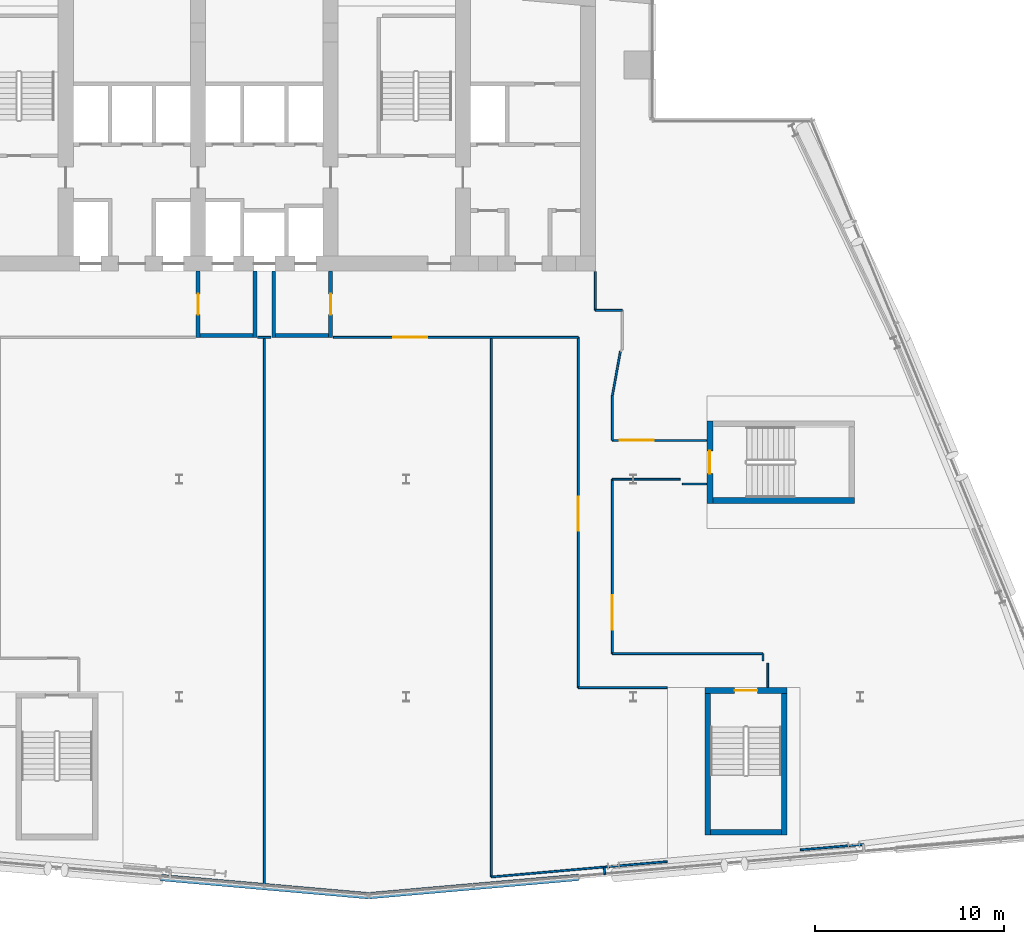
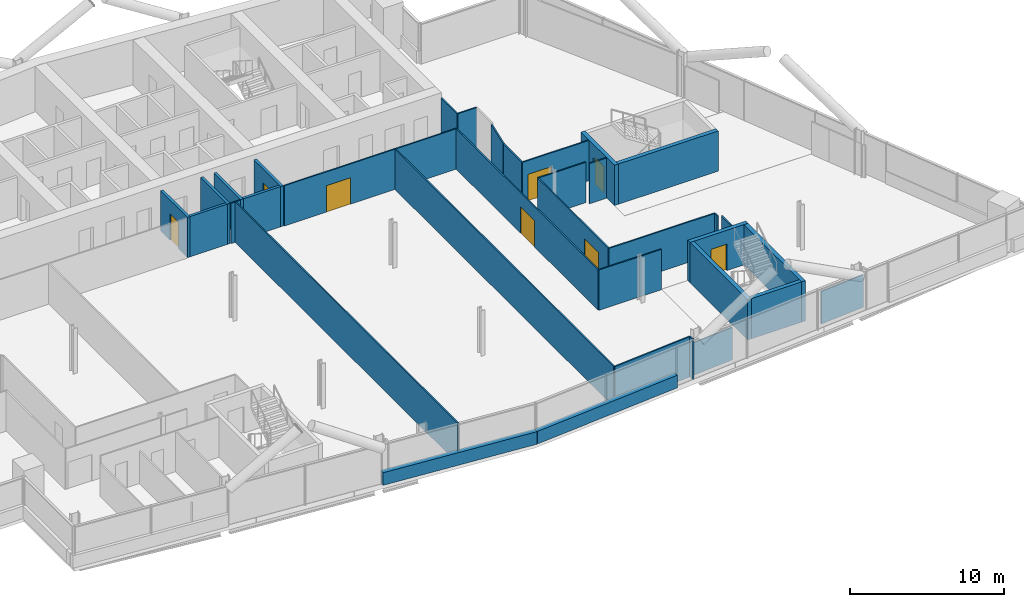
# One storey, part 16 of 26: 35 walls, 8 doors, 8 openings.
"""IFC4 building model written with IfcOpenShell, lengths in metres."""

from ifc_helpers import new_model, si_unit, direction, frame, frame_2d, origin, place, context, subcontext, project, spatial, rectangle, extrude, material, layer, layer_set, type_object, element, fill, save


model = new_model("IFC4")

# Units and contexts
model_context = context("Model", 3, precision=1e-05, world=origin(), true_north=direction((0.0, 1.0)))
body_context = subcontext(model_context, "Body", "Model", "MODEL_VIEW")
ifc_project = project(units=[si_unit("LENGTHUNIT", "METRE"), si_unit("AREAUNIT", "SQUARE_METRE"), si_unit("VOLUMEUNIT", "CUBIC_METRE"), si_unit("PLANEANGLEUNIT", "RADIAN"), si_unit("MASSUNIT", "GRAM", prefix="KILO")], contexts=[model_context])

# Site, building, storey
site_placement = place(None, origin())
site = spatial("IfcSite", under=ifc_project, at=site_placement, CompositionType="ELEMENT")
building_placement = place(site_placement, origin())
building = spatial("IfcBuilding", under=site, at=building_placement, Name="Wharfspan Tower", CompositionType="ELEMENT")
storey_placement = place(building_placement, frame((0.0, 0.0, 177.100098)))
storey = spatial("IfcBuildingStorey", under=building, at=storey_placement, Name="L43", CompositionType="ELEMENT", Elevation=177.100098)

# Walls
ifc_material_1 = material(Name="Gypsum board on steel studs", Category="steel")
ifc_layer_1 = layer(ifc_material_1, 0.100098)
ifc_layer_set_1 = layer_set([ifc_layer_1], Name="Gypsum board on steel studs")
wall_type_1 = type_object("IfcWallType", Name="Compartment wall 100 EI 60", PredefinedType="PARTITIONING", material=ifc_layer_set_1)
wall_1_placement = place(storey_placement, frame((40.5, 1.489258, 0.0), z_axis=(0.0, 0.0, 1.0), x_axis=(0.0, 1.0, 0.0)))
element("IfcWall", 1, at=wall_1_placement, inside=storey, type_object=wall_type_1, Name="Partition L43.w025", PredefinedType="PARTITIONING", context=body_context, shape_type="SweptSolid", body=[
    extrude(rectangle(XDim=29.010742, YDim=0.100098, at=frame_2d((14.505371, 0.0))), origin(), (0.0, 0.0, 1.0), 3.199951),
])
wall_2_placement = place(storey_placement, frame((52.5, 1.97998, 0.0), z_axis=(0.0, 0.0, 1.0), x_axis=(0.0, 1.0, 0.0)))
element("IfcWall", 2, at=wall_2_placement, inside=storey, type_object=wall_type_1, Name="Partition L43.w026", PredefinedType="PARTITIONING", context=body_context, shape_type="SweptSolid", body=[
    extrude(rectangle(XDim=28.52002, YDim=0.100098, at=frame_2d((14.26001, 0.0))), origin(), (0.0, 0.0, 1.0), 3.199951),
])

# Wall, opening, door
wall_3_placement = place(storey_placement, frame((57.100098, 11.985107, 0.0), z_axis=(0.0, 0.0, 1.0), x_axis=(0.0, 1.0, 0.0)))
wall_3 = element("IfcWall", 3, at=wall_3_placement, inside=storey, type_object=wall_type_1, Name="Partition L43.w029", PredefinedType="PARTITIONING", context=body_context, shape_type="SweptSolid", body=[
    extrude(rectangle(XDim=18.514893, YDim=0.100098, at=frame_2d((9.257324, 0.0))), origin(), (0.0, 0.0, 1.0), 3.199951),
])
opening_1_placement = place(wall_3_placement, frame((8.294922, 0.0, 0.0)))
opening_1 = element("IfcOpeningElement", 4, at=opening_1_placement, cuts=wall_3, Name="Opening C4-08", PredefinedType="OPENING", context=body_context, shape_type="SweptSolid", body=[
    extrude(rectangle(XDim=1.800049, YDim=2.100098, at=frame_2d((0.899902, 1.050049))), frame((0.0, 0.060059, 0.0), z_axis=(0.0, -1.0, 0.0), x_axis=(1.0, 0.0, 0.0)), (0.0, 0.0, 1.0), 0.120117),
])
ifc_material_2 = material(Name="Fire-rated timber door leaf in steel frame", Category="steel")
door_type_1 = type_object("IfcDoorType", Name="Door 1800 FD30S Double", OperationType="DOUBLE_DOOR_SINGLE_SWING", PredefinedType="DOOR", material=ifc_material_2)
door_1_placement = place(opening_1_placement, origin())
door_1 = element("IfcDoor", 5, at=door_1_placement, inside=storey, type_object=door_type_1, Name="Door C4-08", OperationType="DOUBLE_DOOR_SINGLE_SWING", OverallHeight=2.100098, OverallWidth=1.800049, PredefinedType="DOOR", context=body_context, shape_type="SweptSolid", body=[
    extrude(rectangle(XDim=1.800049, YDim=2.100098, at=frame_2d((0.899902, 1.050049))), frame((0.0, 0.024902, 0.0), z_axis=(0.0, -1.0, 0.0), x_axis=(1.0, 0.0, 0.0)), (0.0, 0.0, 1.0), 0.050049),
])
fill(opening_1, door_1)

# Walls
wall_4_placement = place(storey_placement, frame((57.100098, 11.985107, 0.0), z_axis=(0.0, 0.0, 1.0), x_axis=(1.0, 0.0, 0.0)))
element("IfcWall", 6, at=wall_4_placement, inside=storey, type_object=wall_type_1, Name="Partition L43.w030", PredefinedType="PARTITIONING", context=body_context, shape_type="SweptSolid", body=[
    extrude(rectangle(XDim=4.691406, YDim=0.100098, at=frame_2d((2.345703, 0.0))), origin(), (0.0, 0.0, 1.0), 3.199951),
])
wall_5_placement = place(storey_placement, frame((58.0, 31.925049, 0.0), z_axis=(0.0, 0.0, 1.0), x_axis=(0.0, 1.0, 0.0)))
element("IfcWall", 7, at=wall_5_placement, inside=storey, type_object=wall_type_1, Name="Partition L43.w031", PredefinedType="PARTITIONING", context=body_context, shape_type="SweptSolid", body=[
    extrude(rectangle(XDim=2.054932, YDim=0.100098, at=frame_2d((1.027344, 0.0))), origin(), (0.0, 0.0, 1.0), 3.199951),
])
wall_6_placement = place(storey_placement, frame((58.0, 31.925049, 0.0), z_axis=(0.0, 0.0, 1.0), x_axis=(1.0, 0.0, 0.0)))
element("IfcWall", 8, at=wall_6_placement, inside=storey, type_object=wall_type_1, Name="Partition L43.w032", PredefinedType="PARTITIONING", context=body_context, shape_type="SweptSolid", body=[
    extrude(rectangle(XDim=1.425049, YDim=0.100098, at=frame_2d((0.712402, 0.0))), origin(), (0.0, 0.0, 1.0), 3.199951),
])

# Wall, opening, door
wall_7_placement = place(storey_placement, frame((58.899902, 13.784912, 0.0), z_axis=(0.0, 0.0, 1.0), x_axis=(0.0, 1.0, 0.0)))
wall_7 = element("IfcWall", 9, at=wall_7_placement, inside=storey, type_object=wall_type_1, Name="Partition L43.w035", PredefinedType="PARTITIONING", context=body_context, shape_type="SweptSolid", body=[
    extrude(rectangle(XDim=9.215088, YDim=0.100098, at=frame_2d((4.607422, 0.0))), origin(), (0.0, 0.0, 1.0), 3.199951),
])
opening_2_placement = place(wall_7_placement, frame((1.27124, 0.0, 0.0)))
opening_2 = element("IfcOpeningElement", 10, at=opening_2_placement, cuts=wall_7, Name="Opening C4-07", PredefinedType="OPENING", context=body_context, shape_type="SweptSolid", body=[
    extrude(rectangle(XDim=1.800049, YDim=2.100098, at=frame_2d((0.899902, 1.050049))), frame((0.0, 0.060059, 0.0), z_axis=(0.0, -1.0, 0.0), x_axis=(1.0, 0.0, 0.0)), (0.0, 0.0, 1.0), 0.120117),
])
door_2_placement = place(opening_2_placement, origin())
door_2 = element("IfcDoor", 11, at=door_2_placement, inside=storey, type_object=door_type_1, Name="Door C4-07", OperationType="DOUBLE_DOOR_SINGLE_SWING", OverallHeight=2.100098, OverallWidth=1.800049, PredefinedType="DOOR", context=body_context, shape_type="SweptSolid", body=[
    extrude(rectangle(XDim=1.800049, YDim=2.100098, at=frame_2d((0.899902, 1.050049))), frame((0.0, 0.024902, 0.0), z_axis=(0.0, -1.0, 0.0), x_axis=(1.0, 0.0, 0.0)), (0.0, 0.0, 1.0), 0.050049),
])
fill(opening_2, door_2)

# Walls
wall_8_placement = place(storey_placement, frame((58.899902, 13.784912, 0.0), z_axis=(0.0, 0.0, 1.0), x_axis=(1.0, 0.0, 0.0)))
element("IfcWall", 12, at=wall_8_placement, inside=storey, type_object=wall_type_1, Name="Partition L43.w036", PredefinedType="PARTITIONING", context=body_context, shape_type="SweptSolid", body=[
    extrude(rectangle(XDim=7.960205, YDim=0.100098, at=frame_2d((3.97998, 0.0))), origin(), (0.0, 0.0, 1.0), 3.199951),
])
wall_9_placement = place(storey_placement, frame((58.899902, 23.0, 0.0), z_axis=(0.0, 0.0, 1.0), x_axis=(1.0, 0.0, 0.0)))
element("IfcWall", 13, at=wall_9_placement, inside=storey, type_object=wall_type_1, Name="Partition L43.w037", PredefinedType="PARTITIONING", context=body_context, shape_type="SweptSolid", body=[
    extrude(rectangle(XDim=3.585205, YDim=0.100098, at=frame_2d((1.79248, 0.0))), origin(), (0.0, 0.0, 1.0), 3.199951),
])
wall_10_placement = place(storey_placement, frame((58.899902, 25.050049, 0.0), z_axis=(0.0, 0.0, 1.0), x_axis=(0.0, 1.0, 0.0)))
element("IfcWall", 14, at=wall_10_placement, inside=storey, type_object=wall_type_1, Name="Partition L43.w038", PredefinedType="PARTITIONING", context=body_context, shape_type="SweptSolid", body=[
    extrude(rectangle(XDim=2.38501, YDim=0.100098, at=frame_2d((1.192383, 0.0))), origin(), (0.0, 0.0, 1.0), 3.199951),
])

# Wall, opening, door
wall_11_placement = place(storey_placement, frame((58.899902, 25.050049, 0.0), z_axis=(0.0, 0.0, 1.0), x_axis=(1.0, 0.0, 0.0)))
wall_11 = element("IfcWall", 15, at=wall_11_placement, inside=storey, type_object=wall_type_1, Name="Partition L43.w039", PredefinedType="PARTITIONING", context=body_context, shape_type="SweptSolid", body=[
    extrude(rectangle(XDim=4.984619, YDim=0.100098, at=frame_2d((2.492188, 0.0))), origin(), (0.0, 0.0, 1.0), 3.199951),
])
opening_3_placement = place(wall_11_placement, frame((0.38501, 0.0, 0.0)))
opening_3 = element("IfcOpeningElement", 16, at=opening_3_placement, cuts=wall_11, Name="Opening C4-09", PredefinedType="OPENING", context=body_context, shape_type="SweptSolid", body=[
    extrude(rectangle(XDim=1.800049, YDim=2.100098, at=frame_2d((0.899902, 1.050049))), frame((0.0, 0.060059, 0.0), z_axis=(0.0, -1.0, 0.0), x_axis=(1.0, 0.0, 0.0)), (0.0, 0.0, 1.0), 0.120117),
])
door_3_placement = place(opening_3_placement, origin())
door_3 = element("IfcDoor", 17, at=door_3_placement, inside=storey, type_object=door_type_1, Name="Door C4-09", OperationType="DOUBLE_DOOR_SINGLE_SWING", OverallHeight=2.100098, OverallWidth=1.800049, PredefinedType="DOOR", context=body_context, shape_type="SweptSolid", body=[
    extrude(rectangle(XDim=1.800049, YDim=2.100098, at=frame_2d((0.899902, 1.050049))), frame((0.0, 0.024902, 0.0), z_axis=(0.0, -1.0, 0.0), x_axis=(1.0, 0.0, 0.0)), (0.0, 0.0, 1.0), 0.050049),
])
fill(opening_3, door_3)

# Walls
wall_12_placement = place(storey_placement, frame((58.899902, 27.435059, 0.0), z_axis=(0.0, 0.0, 1.0), x_axis=(0.178584, 0.983924, 0.0)))
element("IfcWall", 18, at=wall_12_placement, inside=storey, type_object=wall_type_1, Name="Partition L43.w040", PredefinedType="PARTITIONING", context=body_context, shape_type="SweptSolid", body=[
    extrude(rectangle(XDim=2.352783, YDim=0.100098, at=frame_2d((1.17627, 0.0))), origin(), (0.0, 0.0, 1.0), 3.199951),
])
wall_13_placement = place(storey_placement, frame((62.60498, 22.75, 0.0), z_axis=(0.0, 0.0, 1.0), x_axis=(1.0, 0.0, 0.0)))
element("IfcWall", 19, at=wall_13_placement, inside=storey, type_object=wall_type_1, Name="Partition L43.w043", PredefinedType="PARTITIONING", context=body_context, shape_type="SweptSolid", body=[
    extrude(rectangle(XDim=1.279541, YDim=0.100098, at=frame_2d((0.639648, 0.0))), origin(), (0.0, 0.0, 1.0), 3.199951),
])
wall_14_placement = place(storey_placement, frame((66.860107, 13.405029, 0.0), z_axis=(0.0, 0.0, 1.0), x_axis=(0.0, 1.0, 0.0)))
element("IfcWall", 20, at=wall_14_placement, inside=storey, type_object=wall_type_1, Name="Partition L43.w044", PredefinedType="PARTITIONING", context=body_context, shape_type="SweptSolid", body=[
    extrude(rectangle(XDim=0.379883, YDim=0.100098, at=frame_2d((0.189941, 0.0))), origin(), (0.0, 0.0, 1.0), 3.199951),
])
wall_15_placement = place(storey_placement, frame((67.110107, 12.003662, 0.0), z_axis=(0.0, 0.0, 1.0), x_axis=(0.0, 1.0, 0.0)))
element("IfcWall", 21, at=wall_15_placement, inside=storey, type_object=wall_type_1, Name="Partition L43.w045", PredefinedType="PARTITIONING", context=body_context, shape_type="SweptSolid", body=[
    extrude(rectangle(XDim=1.28125, YDim=0.100098, at=frame_2d((0.640625, 0.0))), origin(), (0.0, 0.0, 1.0), 3.199951),
])
wall_16_placement = place(storey_placement, frame((40.149902, 30.5, 0.0), z_axis=(0.0, 0.0, 1.0), x_axis=(1.0, 0.0, 0.0)))
element("IfcWall", 22, at=wall_16_placement, inside=storey, type_object=wall_type_1, Name="Partition L43.w009 (2)", PredefinedType="PARTITIONING", context=body_context, shape_type="SweptSolid", body=[
    extrude(rectangle(XDim=0.700195, YDim=0.100098, at=frame_2d((0.350098, 0.0))), origin(), (0.0, 0.0, 1.0), 3.199951),
])

# Wall, opening, door
wall_17_placement = place(storey_placement, frame((44.149902, 30.5, 0.0), z_axis=(0.0, 0.0, 1.0), x_axis=(1.0, 0.0, 0.0)))
wall_17 = element("IfcWall", 23, at=wall_17_placement, inside=storey, type_object=wall_type_1, Name="Partition L43.w009 (3)", PredefinedType="PARTITIONING", context=body_context, shape_type="SweptSolid", body=[
    extrude(rectangle(XDim=12.950195, YDim=0.100098, at=frame_2d((6.475098, 0.0))), origin(), (0.0, 0.0, 1.0), 3.199951),
])
opening_4_placement = place(wall_17_placement, frame((3.169922, 0.0, 0.0)))
opening_4 = element("IfcOpeningElement", 24, at=opening_4_placement, cuts=wall_17, Name="Opening C4-11", PredefinedType="OPENING", context=body_context, shape_type="SweptSolid", body=[
    extrude(rectangle(XDim=1.800049, YDim=2.100098, at=frame_2d((0.899902, 1.050049))), frame((0.0, 0.060059, 0.0), z_axis=(0.0, -1.0, 0.0), x_axis=(1.0, 0.0, 0.0)), (0.0, 0.0, 1.0), 0.120117),
])
door_4_placement = place(opening_4_placement, origin())
door_4 = element("IfcDoor", 25, at=door_4_placement, inside=storey, type_object=door_type_1, Name="Door C4-11", OperationType="DOUBLE_DOOR_SINGLE_SWING", OverallHeight=2.100098, OverallWidth=1.800049, PredefinedType="DOOR", context=body_context, shape_type="SweptSolid", body=[
    extrude(rectangle(XDim=1.800049, YDim=2.100098, at=frame_2d((0.899902, 1.050049))), frame((0.0, 0.024902, 0.0), z_axis=(0.0, -1.0, 0.0), x_axis=(1.0, 0.0, 0.0)), (0.0, 0.0, 1.0), 0.050049),
])
fill(opening_4, door_4)

ifc_material_3 = material(Name="Concrete C30/37", Category="concrete")
ifc_layer_2 = layer(ifc_material_3, 0.199951)
ifc_layer_set_2 = layer_set([ifc_layer_2], Name="Concrete C30/37")
wall_type_2 = type_object("IfcWallType", Name="Lobby wall 200", PredefinedType="PARTITIONING", material=ifc_layer_set_2)
wall_18_placement = place(storey_placement, frame((37.0, 30.5, 0.0), z_axis=(0.0, 0.0, 1.0), x_axis=(0.0, 1.0, 0.0)))
wall_18 = element("IfcWall", 26, at=wall_18_placement, inside=storey, type_object=wall_type_2, Name="sw:L43:FLFF1W", PredefinedType="PARTITIONING", context=body_context, shape_type="SweptSolid", body=[
    extrude(rectangle(XDim=3.5, YDim=0.199951, at=frame_2d((1.75, 0.0))), origin(), (0.0, 0.0, 1.0), 3.199951),
])
opening_5_placement = place(wall_18_placement, frame((1.199951, 0.0, 0.0)))
opening_5 = element("IfcOpeningElement", 27, at=opening_5_placement, cuts=wall_18, Name="Opening FL.FF1.L43", PredefinedType="OPENING", context=body_context, shape_type="SweptSolid", body=[
    extrude(rectangle(XDim=1.100098, YDim=2.100098, at=frame_2d((0.550049, 1.050049))), frame((0.0, 0.109863, 0.0), z_axis=(0.0, -1.0, 0.0), x_axis=(1.0, 0.0, 0.0)), (0.0, 0.0, 1.0), 0.219971),
])
ifc_material_4 = material(Name="Steel door leaf", Category="steel")
door_type_2 = type_object("IfcDoorType", Name="Firefighting lobby door 1100x2100", OperationType="SINGLE_SWING_LEFT", PredefinedType="DOOR", material=ifc_material_4)
door_5_placement = place(opening_5_placement, origin())
door_5 = element("IfcDoor", 28, at=door_5_placement, inside=storey, type_object=door_type_2, Name="fd:L43:FF1", OperationType="SINGLE_SWING_LEFT", OverallHeight=2.100098, OverallWidth=1.100098, PredefinedType="DOOR", context=body_context, shape_type="SweptSolid", body=[
    extrude(rectangle(XDim=1.100098, YDim=2.100098, at=frame_2d((0.550049, 1.050049))), frame((0.0, 0.024902, 0.0), z_axis=(0.0, -1.0, 0.0), x_axis=(1.0, 0.0, 0.0)), (0.0, 0.0, 1.0), 0.050049),
])
fill(opening_5, door_5)

# Walls
wall_19_placement = place(storey_placement, frame((40.0, 30.5, 0.0), z_axis=(0.0, 0.0, 1.0), x_axis=(0.0, 1.0, 0.0)))
element("IfcWall", 29, at=wall_19_placement, inside=storey, type_object=wall_type_2, Name="sw:L43:FLFF1E", PredefinedType="PARTITIONING", context=body_context, shape_type="SweptSolid", body=[
    extrude(rectangle(XDim=3.5, YDim=0.199951, at=frame_2d((1.75, 0.0))), origin(), (0.0, 0.0, 1.0), 3.199951),
])
wall_20_placement = place(storey_placement, frame((37.100098, 30.600098, 0.0), z_axis=(0.0, 0.0, 1.0), x_axis=(1.0, 0.0, 0.0)))
element("IfcWall", 30, at=wall_20_placement, inside=storey, type_object=wall_type_2, Name="sw:L43:FLFF1F", PredefinedType="PARTITIONING", context=body_context, shape_type="SweptSolid", body=[
    extrude(rectangle(XDim=2.799805, YDim=0.199951, at=frame_2d((1.399902, 0.0))), origin(), (0.0, 0.0, 1.0), 3.199951),
])
wall_21_placement = place(storey_placement, frame((41.0, 30.5, 0.0), z_axis=(0.0, 0.0, 1.0), x_axis=(0.0, 1.0, 0.0)))
element("IfcWall", 31, at=wall_21_placement, inside=storey, type_object=wall_type_2, Name="sw:L43:FLFF2W", PredefinedType="PARTITIONING", context=body_context, shape_type="SweptSolid", body=[
    extrude(rectangle(XDim=3.5, YDim=0.199951, at=frame_2d((1.75, 0.0))), origin(), (0.0, 0.0, 1.0), 3.199951),
])

# Wall, opening, door
wall_22_placement = place(storey_placement, frame((44.0, 30.5, 0.0), z_axis=(0.0, 0.0, 1.0), x_axis=(0.0, 1.0, 0.0)))
wall_22 = element("IfcWall", 32, at=wall_22_placement, inside=storey, type_object=wall_type_2, Name="sw:L43:FLFF2E", PredefinedType="PARTITIONING", context=body_context, shape_type="SweptSolid", body=[
    extrude(rectangle(XDim=3.5, YDim=0.199951, at=frame_2d((1.75, 0.0))), origin(), (0.0, 0.0, 1.0), 3.199951),
])
opening_6_placement = place(wall_22_placement, frame((1.199951, 0.0, 0.0)))
opening_6 = element("IfcOpeningElement", 33, at=opening_6_placement, cuts=wall_22, Name="Opening FL.FF2.L43", PredefinedType="OPENING", context=body_context, shape_type="SweptSolid", body=[
    extrude(rectangle(XDim=1.100098, YDim=2.100098, at=frame_2d((0.550049, 1.050049))), frame((0.0, 0.109863, 0.0), z_axis=(0.0, -1.0, 0.0), x_axis=(1.0, 0.0, 0.0)), (0.0, 0.0, 1.0), 0.219971),
])
door_6_placement = place(opening_6_placement, origin())
door_6 = element("IfcDoor", 34, at=door_6_placement, inside=storey, type_object=door_type_2, Name="fd:L43:FF2", OperationType="SINGLE_SWING_LEFT", OverallHeight=2.100098, OverallWidth=1.100098, PredefinedType="DOOR", context=body_context, shape_type="SweptSolid", body=[
    extrude(rectangle(XDim=1.100098, YDim=2.100098, at=frame_2d((0.550049, 1.050049))), frame((0.0, 0.024902, 0.0), z_axis=(0.0, -1.0, 0.0), x_axis=(1.0, 0.0, 0.0)), (0.0, 0.0, 1.0), 0.050049),
])
fill(opening_6, door_6)

# Walls
wall_23_placement = place(storey_placement, frame((41.100098, 30.600098, 0.0), z_axis=(0.0, 0.0, 1.0), x_axis=(1.0, 0.0, 0.0)))
element("IfcWall", 35, at=wall_23_placement, inside=storey, type_object=wall_type_2, Name="sw:L43:FLFF2F", PredefinedType="PARTITIONING", context=body_context, shape_type="SweptSolid", body=[
    extrude(rectangle(XDim=2.799805, YDim=0.199951, at=frame_2d((1.399902, 0.0))), origin(), (0.0, 0.0, 1.0), 3.199951),
])
ifc_layer_3 = layer(ifc_material_1, 0.100098)
ifc_layer_set_3 = layer_set([ifc_layer_3], Name="Gypsum board on steel studs")
wall_type_3 = type_object("IfcWallType", Name="Partition 100", PredefinedType="PARTITIONING", material=ifc_layer_set_3)
wall_24_placement = place(storey_placement, frame((52.5, 1.975098, 0.0), z_axis=(0.0, 0.0, 1.0), x_axis=(0.99615, 0.087657, 0.0)))
element("IfcWall", 36, at=wall_24_placement, inside=storey, type_object=wall_type_3, Name="Partition L43.w028", PredefinedType="PARTITIONING", context=body_context, shape_type="SweptSolid", body=[
    extrude(rectangle(XDim=5.988037, YDim=0.100098, at=frame_2d((2.994141, 0.0))), origin(), (0.0, 0.0, 1.0), 3.199951),
])
wall_25_placement = place(storey_placement, frame((58.465088, 2.5, 0.0), z_axis=(0.0, 0.0, 1.0), x_axis=(0.996263, 0.086355, 0.0)))
element("IfcWall", 37, at=wall_25_placement, inside=storey, type_object=wall_type_3, Name="Partition L43.w033", PredefinedType="PARTITIONING", context=body_context, shape_type="SweptSolid", body=[
    extrude(rectangle(XDim=3.338867, YDim=0.100098, at=frame_2d((1.669434, 0.0))), origin(), (0.0, 0.0, 1.0), 2.579834),
])
wall_26_placement = place(storey_placement, frame((58.498291, 2.101562, 0.0), z_axis=(0.0, 0.0, 1.0), x_axis=(-0.083045, 0.996542, 0.0)))
element("IfcWall", 38, at=wall_26_placement, inside=storey, type_object=wall_type_3, Name="Partition L43.w034", PredefinedType="PARTITIONING", context=body_context, shape_type="SweptSolid", body=[
    extrude(rectangle(XDim=0.399902, YDim=0.100098, at=frame_2d((0.199951, 0.0))), origin(), (0.0, 0.0, 1.0), 3.199951),
])
wall_27_placement = place(storey_placement, frame((68.831299, 3.406738, 0.0), z_axis=(0.0, 0.0, 1.0), x_axis=(0.996283, 0.086167, 0.0)))
element("IfcWall", 39, at=wall_27_placement, inside=storey, type_object=wall_type_3, Name="Partition L43.w046", PredefinedType="PARTITIONING", context=body_context, shape_type="SweptSolid", body=[
    extrude(rectangle(XDim=3.346191, YDim=0.100098, at=frame_2d((1.673096, 0.0))), origin(), (0.0, 0.0, 1.0), 2.579834),
])
ifc_material_5 = material(Name="Concrete C40/50", Category="concrete")
ifc_layer_4 = layer(ifc_material_5, 0.350098)
ifc_layer_set_4 = layer_set([ifc_layer_4], Name="Concrete C40/50")
wall_type_4 = type_object("IfcWallType", Name="SPANDREL EXPOSED CONCRETE 350", PredefinedType="SOLIDWALL", material=ifc_layer_set_4)
wall_28_placement = place(storey_placement, frame((35.029541, 1.942627, 0.0), z_axis=(0.0, 0.0, 1.0), x_axis=(0.996199, -0.08714, 0.0)))
element("IfcWall", 40, at=wall_28_placement, inside=storey, type_object=wall_type_4, Name="Spandrel upstand L43 S1 2", PredefinedType="SOLIDWALL", context=body_context, shape_type="SweptSolid", body=[
    extrude(rectangle(XDim=11.027588, YDim=0.350098, at=frame_2d((5.513672, 0.0))), origin(), (0.0, 0.0, 1.0), 1.0),
])
wall_29_placement = place(storey_placement, frame((46.04541, 0.986816, 0.0), z_axis=(0.0, 0.0, 1.0), x_axis=(0.996193, 0.087171, 0.0)))
element("IfcWall", 41, at=wall_29_placement, inside=storey, type_object=wall_type_4, Name="Spandrel upstand L43 S2 1", PredefinedType="SOLIDWALL", context=body_context, shape_type="SweptSolid", body=[
    extrude(rectangle(XDim=11.110352, YDim=0.350098, at=frame_2d((5.555176, 0.0))), origin(), (0.0, 0.0, 1.0), 1.0),
])

# Wall, opening, door
ifc_layer_5 = layer(ifc_material_5, 0.300049)
ifc_layer_set_5 = layer_set([ifc_layer_5], Name="Concrete C40/50")
wall_type_5 = type_object("IfcWallType", Name="Stair core wall 300", PredefinedType="SHEAR", material=ifc_layer_set_5)
wall_30_placement = place(storey_placement, frame((63.786377, 11.83374, 0.0), z_axis=(0.0, 0.0, 1.0), x_axis=(1.0, 0.0, 0.0)))
wall_30 = element("IfcWall", 42, at=wall_30_placement, inside=storey, type_object=wall_type_5, Name="ST5 stair enclosure wall L43", PredefinedType="SHEAR", context=body_context, shape_type="SweptSolid", body=[
    extrude(rectangle(XDim=4.350098, YDim=0.300049, at=frame_2d((2.175049, 0.0))), origin(), (0.0, 0.0, 1.0), 3.199951),
])
opening_7_placement = place(wall_30_placement, frame((1.574951, 0.0, 0.0)))
opening_7 = element("IfcOpeningElement", 43, at=opening_7_placement, cuts=wall_30, Name="Opening SD5.L43", PredefinedType="OPENING", context=body_context, shape_type="SweptSolid", body=[
    extrude(rectangle(XDim=1.199951, YDim=2.100098, at=frame_2d((0.600098, 1.050049))), frame((0.0, 0.159912, 0.0), z_axis=(0.0, -1.0, 0.0), x_axis=(1.0, 0.0, 0.0)), (0.0, 0.0, 1.0), 0.320068),
])
door_type_3 = type_object("IfcDoorType", Name="Stair door 1200x2100", OperationType="SINGLE_SWING_LEFT", PredefinedType="DOOR", material=ifc_material_4)
door_7_placement = place(opening_7_placement, origin())
door_7 = element("IfcDoor", 44, at=door_7_placement, inside=storey, type_object=door_type_3, Name="sd:L43:ST5z3", OperationType="SINGLE_SWING_RIGHT", OverallHeight=2.100098, OverallWidth=1.199951, PredefinedType="DOOR", context=body_context, shape_type="SweptSolid", body=[
    extrude(rectangle(XDim=1.199951, YDim=2.100098, at=frame_2d((0.600098, 1.050049))), frame((0.0, 0.024902, 0.0), z_axis=(0.0, -1.0, 0.0), x_axis=(1.0, 0.0, 0.0)), (0.0, 0.0, 1.0), 0.050049),
])
fill(opening_7, door_7)

wall_31_placement = place(storey_placement, frame((64.054688, 21.725098, 0.0), z_axis=(0.0, 0.0, 1.0), x_axis=(0.0, 1.0, 0.0)))
wall_31 = element("IfcWall", 45, at=wall_31_placement, inside=storey, type_object=wall_type_5, Name="ST6 stair enclosure wall L43", PredefinedType="SHEAR", context=body_context, shape_type="SweptSolid", body=[
    extrude(rectangle(XDim=4.349854, YDim=0.300049, at=frame_2d((2.174805, 0.0))), origin(), (0.0, 0.0, 1.0), 3.199951),
])
opening_8_placement = place(wall_31_placement, frame((1.574951, 0.0, 0.0)))
opening_8 = element("IfcOpeningElement", 46, at=opening_8_placement, cuts=wall_31, Name="Opening SD6.L43", PredefinedType="OPENING", context=body_context, shape_type="SweptSolid", body=[
    extrude(rectangle(XDim=1.199951, YDim=2.100098, at=frame_2d((0.600098, 1.050049))), frame((0.0, 0.159912, 0.0), z_axis=(0.0, -1.0, 0.0), x_axis=(1.0, 0.0, 0.0)), (0.0, 0.0, 1.0), 0.320068),
])
door_8_placement = place(opening_8_placement, origin())
door_8 = element("IfcDoor", 47, at=door_8_placement, inside=storey, type_object=door_type_3, Name="sd:L43:ST6z3", OperationType="SINGLE_SWING_RIGHT", OverallHeight=2.100098, OverallWidth=1.199951, PredefinedType="DOOR", context=body_context, shape_type="SweptSolid", body=[
    extrude(rectangle(XDim=1.199951, YDim=2.100098, at=frame_2d((0.600098, 1.050049))), frame((0.0, 0.024902, 0.0), z_axis=(0.0, -1.0, 0.0), x_axis=(1.0, 0.0, 0.0)), (0.0, 0.0, 1.0), 0.050049),
])
fill(opening_8, door_8)

# Walls
for number, where, z_axis, x_axis, name in (
    (48, (63.936279, 4.183594, 0.0), (0.0, 0.0, 1.0), (0.0, 1.0, 0.0), "ST5 stair enclosure wall L43"),
    (49, (67.986328, 4.183594, 0.0), (0.0, 0.0, 1.0), (0.0, 1.0, 0.0), "ST5 stair enclosure wall L43"),
):
    element("IfcWall", number, at=place(storey_placement, frame(where, z_axis=z_axis, x_axis=x_axis)), inside=storey, type_object=wall_type_5, Name=name, PredefinedType="SHEAR", context=body_context, shape_type="SweptSolid", body=[
        extrude(rectangle(XDim=7.5, YDim=0.300049, at=frame_2d((3.75, 0.0))), origin(), (0.0, 0.0, 1.0), 3.199951),
    ])
wall_32_placement = place(storey_placement, frame((64.086426, 4.33374, 0.0), z_axis=(0.0, 0.0, 1.0), x_axis=(1.0, 0.0, 0.0)))
element("IfcWall", 50, at=wall_32_placement, inside=storey, type_object=wall_type_5, Name="ST5 stair enclosure wall L43", PredefinedType="SHEAR", context=body_context, shape_type="SweptSolid", body=[
    extrude(rectangle(XDim=3.75, YDim=0.300049, at=frame_2d((1.875, 0.0))), origin(), (0.0, 0.0, 1.0), 3.199951),
])
wall_33_placement = place(storey_placement, frame((64.20459, 21.875, 0.0), z_axis=(0.0, 0.0, 1.0), x_axis=(1.0, 0.0, 0.0)))
element("IfcWall", 51, at=wall_33_placement, inside=storey, type_object=wall_type_5, Name="ST6 stair enclosure wall L43", PredefinedType="SHEAR", context=body_context, shape_type="SweptSolid", body=[
    extrude(rectangle(XDim=7.5, YDim=0.300049, at=frame_2d((3.75, 0.0))), origin(), (0.0, 0.0, 1.0), 3.199951),
])

save(model, "model.ifc")
